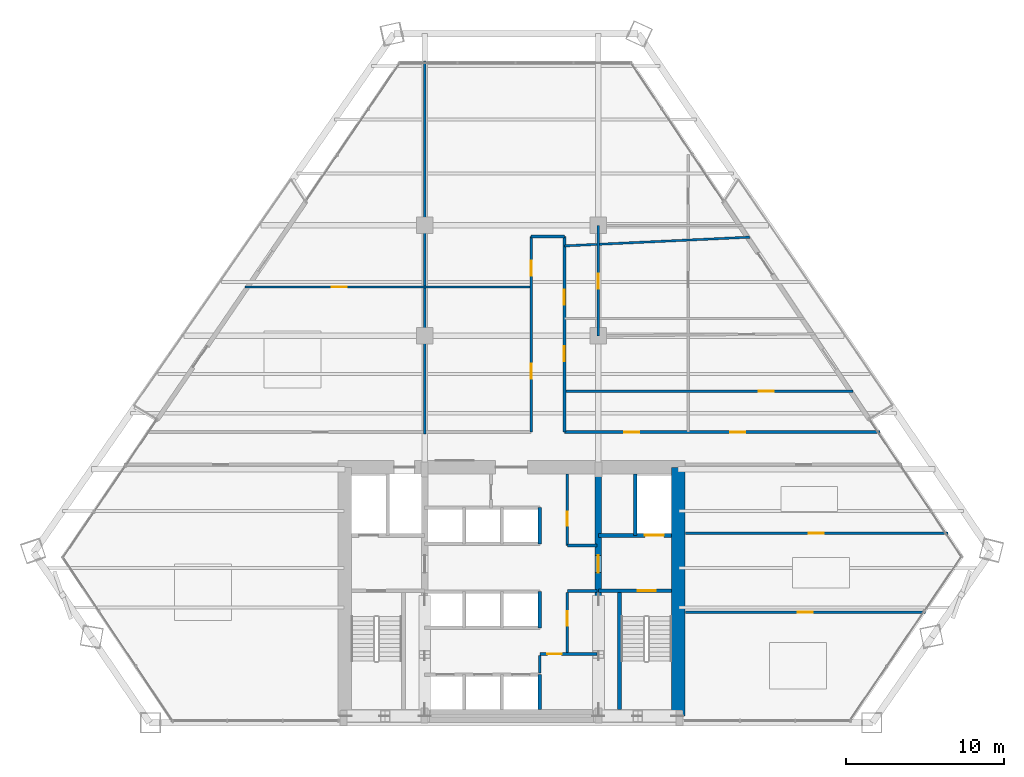
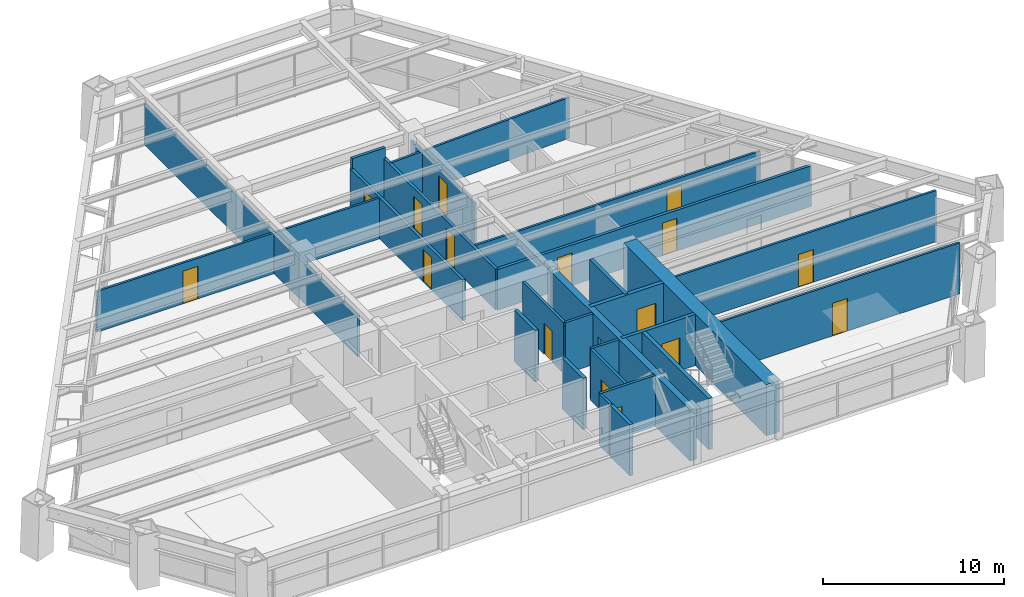
# One storey, part 11 of 14: 26 walls, 17 doors, 17 openings.
"""IFC4 building model written with IfcOpenShell, lengths in metres."""

from ifc_helpers import new_model, si_unit, direction, frame, frame_2d, origin, place, context, subcontext, project, spatial, rectangle, extrude, source, transform, mapped, material, layer, layer_set, type_object, type_shapes, element, fill, save


model = new_model("IFC4")

# Units and contexts
model_context = context("Model", 3, precision=1e-05, world=origin(), true_north=direction((0.0, 1.0)))
body_context = subcontext(model_context, "Body", "Model", "MODEL_VIEW")
ifc_project = project(units=[si_unit("LENGTHUNIT", "METRE"), si_unit("AREAUNIT", "SQUARE_METRE"), si_unit("VOLUMEUNIT", "CUBIC_METRE"), si_unit("PLANEANGLEUNIT", "RADIAN"), si_unit("MASSUNIT", "GRAM", prefix="KILO")], contexts=[model_context])

# Site, building, storey
site_placement = place(None, origin())
site = spatial("IfcSite", under=ifc_project, at=site_placement, CompositionType="ELEMENT")
building_placement = place(site_placement, origin())
building = spatial("IfcBuilding", under=site, at=building_placement, Name="Varnakhor Terracotta Tower", CompositionType="ELEMENT")
storey_placement = place(building_placement, frame((0.0, 0.0, 49.699951171875)))
storey = spatial("IfcBuildingStorey", under=building, at=storey_placement, Name="L11", CompositionType="ELEMENT", Elevation=49.699951171875)

# Wall
ifc_material_1 = material(Name="Concrete C60/75", Category="concrete")
ifc_layer_1 = layer(ifc_material_1, 0.85009765625, Name="Concrete C60/75")
ifc_layer_set_1 = layer_set([ifc_layer_1], Name="Concrete C60/75")
wall_type_1 = type_object("IfcWallType", Name="WAL-CORE-850", PredefinedType="SHEAR", material=ifc_layer_set_1)
wall_1_placement = place(storey_placement, frame((10.574951171875, 0.425048828125, 0.0), z_axis=(0.0, 0.0, 1.0), x_axis=(0.0, 1.0, 0.0)))
element("IfcWall", 1, at=wall_1_placement, inside=storey, type_object=wall_type_1, Name="L11 East Core Shear Wall", PredefinedType="SHEAR", context=body_context, shape_type="SweptSolid", body=[
    extrude(rectangle(XDim=15.75, YDim=0.85009765625, at=frame_2d((7.875, 0.0))), origin(), (0.0, 0.0, 1.0), 3.449951171875),
])

# Wall, opening, door
ifc_material_2 = material(Name="Concrete C50/60", Category="concrete")
ifc_layer_2 = layer(ifc_material_2, 0.39990234375, Name="Concrete C50/60")
ifc_layer_set_2 = layer_set([ifc_layer_2], Name="Concrete C50/60")
wall_type_2 = type_object("IfcWallType", Name="WAL-CORE-WEB-400", PredefinedType="SHEAR", material=ifc_layer_set_2)
wall_2_placement = place(storey_placement, frame((5.5, 0.425048828125, 0.0), z_axis=(0.0, 0.0, 1.0), x_axis=(0.0, 1.0, 0.0)))
wall_2 = element("IfcWall", 2, at=wall_2_placement, inside=storey, type_object=wall_type_2, Name="L11 East Core Web Shear Wall", PredefinedType="SHEAR", context=body_context, shape_type="SweptSolid", body=[
    extrude(rectangle(XDim=15.75, YDim=0.39990234375, at=frame_2d((7.875, 0.0))), origin(), (0.0, 0.0, 1.0), 3.449951171875),
])
opening_1_placement = place(wall_2_placement, frame((9.074951171875, 0.0, 0.0)))
opening_1 = element("IfcOpeningElement", 3, at=opening_1_placement, cuts=wall_2, Name="Opening DR-25", PredefinedType="OPENING", context=body_context, shape_type="SweptSolid", body=[
    extrude(rectangle(XDim=1.10009765625, YDim=2.199951171875, at=frame_2d((0.550048828125, 1.10009765625))), frame((0.0, 0.2099609375, 0.0), z_axis=(0.0, -1.0, 0.0), x_axis=(1.0, 0.0, 0.0)), (0.0, 0.0, 1.0), 0.419921875),
])
ifc_material_3 = material(Name="Firefighting Lobby Self-Closing Fire Door", Category="steel")
door_type_1 = type_object("IfcDoorType", Name="DR-FFL-1100X2200", OperationType="NOTDEFINED", PredefinedType="DOOR", material=ifc_material_3)
shared_shape_1 = source(origin(), body_context, "Body", "SweptSolid", [
    extrude(rectangle(XDim=1.10009765625, YDim=2.199951171875, at=frame_2d((0.550048828125, 1.10009765625))), frame((0.0, 0.02490234375, 0.0), z_axis=(0.0, -1.0, 0.0), x_axis=(1.0, 0.0, 0.0)), (0.0, 0.0, 1.0), 0.050048828125),
])
type_shapes(door_type_1, [shared_shape_1])
door_1_placement = place(opening_1_placement, origin())
door_1 = element("IfcDoor", 4, at=door_1_placement, inside=storey, type_object=door_type_1, Name="L11 East Firefighting Lobby Door", OperationType="SINGLE_SWING_LEFT", OverallHeight=2.199951171875, OverallWidth=1.10009765625, PredefinedType="DOOR", context=body_context, shape_type="MappedRepresentation", body=[
    mapped(shared_shape_1, transform((0.0, 0.0, 0.0), scale=1.0)),
])
fill(opening_1, door_1)

# Wall, openings, doors
ifc_material_4 = material(Name="Fire-Rated Gypsum Stud Partition", Category="gypsum")
ifc_layer_3 = layer(ifc_material_4, 0.18505859375, Name="Fire-Rated Gypsum Stud Partition")
ifc_layer_set_3 = layer_set([ifc_layer_3], Name="Fire-Rated Gypsum Stud Partition")
wall_type_3 = type_object("IfcWallType", Name="WAL-CORR-185", PredefinedType="PARTITIONING", material=ifc_layer_set_3)
wall_3_placement = place(storey_placement, frame((3.35009765625, 18.39990234375, 0.0), z_axis=(0.0, 0.0, 1.0), x_axis=(1.0, 0.0, 0.0)))
wall_3 = element("IfcWall", 5, at=wall_3_placement, inside=storey, type_object=wall_type_3, Name="L11 Corridor North East Wall", PredefinedType="PARTITIONING", context=body_context, shape_type="SweptSolid", body=[
    extrude(rectangle(XDim=20.006103515625, YDim=0.18505859375, at=frame_2d((10.0029296875, 0.0))), origin(), (0.0, 0.0, 1.0), 2.7470703125),
])
opening_2_placement = place(wall_3_placement, frame((10.494384765625, 0.0, 0.0)))
opening_2 = element("IfcOpeningElement", 6, at=opening_2_placement, cuts=wall_3, Name="Opening DR-94", PredefinedType="OPENING", context=body_context, shape_type="SweptSolid", body=[
    extrude(rectangle(XDim=0.949951171875, YDim=2.199951171875, at=frame_2d((0.47509765625, 1.10009765625))), frame((0.0, 0.1025390625, 0.0), z_axis=(0.0, -1.0, 0.0), x_axis=(1.0, 0.0, 0.0)), (0.0, 0.0, 1.0), 0.205078125),
])
opening_3_placement = place(wall_3_placement, frame((3.80322265625, 0.0, 0.0)))
opening_3 = element("IfcOpeningElement", 7, at=opening_3_placement, cuts=wall_3, Name="Opening DR-94", PredefinedType="OPENING", context=body_context, shape_type="SweptSolid", body=[
    extrude(rectangle(XDim=0.949951171875, YDim=2.199951171875, at=frame_2d((0.47509765625, 1.10009765625))), frame((0.0, 0.1025390625, 0.0), z_axis=(0.0, -1.0, 0.0), x_axis=(1.0, 0.0, 0.0)), (0.0, 0.0, 1.0), 0.205078125),
])
ifc_material_5 = material(Name="Acoustic Glazed-Vision Timber Office Door", Category="wood")
door_type_2 = type_object("IfcDoorType", Name="DR-OFF-950X2200", OperationType="NOTDEFINED", PredefinedType="DOOR", material=ifc_material_5)
shared_shape_2 = source(origin(), body_context, "Body", "SweptSolid", [
    extrude(rectangle(XDim=0.949951171875, YDim=2.199951171875, at=frame_2d((0.47509765625, 1.10009765625))), frame((0.0, 0.02490234375, 0.0), z_axis=(0.0, -1.0, 0.0), x_axis=(1.0, 0.0, 0.0)), (0.0, 0.0, 1.0), 0.050048828125),
])
type_shapes(door_type_2, [shared_shape_2])
door_2_placement = place(opening_2_placement, origin())
door_2 = element("IfcDoor", 8, at=door_2_placement, inside=storey, type_object=door_type_2, Name="L11 East Workplace Door", OperationType="SINGLE_SWING_LEFT", OverallHeight=2.199951171875, OverallWidth=0.949951171875, PredefinedType="DOOR", context=body_context, shape_type="MappedRepresentation", body=[
    mapped(shared_shape_2, transform((0.0, 0.0, 0.0), scale=1.0)),
])
fill(opening_2, door_2)
door_3_placement = place(opening_3_placement, origin())
door_3 = element("IfcDoor", 9, at=door_3_placement, inside=storey, type_object=door_type_2, Name="L11 Archive Office B7 Door", OperationType="SINGLE_SWING_LEFT", OverallHeight=2.199951171875, OverallWidth=0.949951171875, PredefinedType="DOOR", context=body_context, shape_type="MappedRepresentation", body=[
    mapped(shared_shape_2, transform((0.0, 0.0, 0.0), scale=1.0)),
])
fill(opening_3, door_3)

wall_4_placement = place(storey_placement, frame((1.25, 18.39990234375, 0.0), z_axis=(0.0, 0.0, 1.0), x_axis=(0.0, 1.0, 0.0)))
wall_4 = element("IfcWall", 10, at=wall_4_placement, inside=storey, type_object=wall_type_3, Name="L11 Spine West Wall", PredefinedType="PARTITIONING", context=body_context, shape_type="SweptSolid", body=[
    extrude(rectangle(XDim=12.400146484375, YDim=0.18505859375, at=frame_2d((6.2001953125, 0.0))), origin(), (0.0, 0.0, 1.0), 2.7470703125),
])
opening_4_placement = place(wall_4_placement, frame((3.381103515625, 0.0, 0.0)))
opening_4 = element("IfcOpeningElement", 11, at=opening_4_placement, cuts=wall_4, Name="Opening DR-94", PredefinedType="OPENING", context=body_context, shape_type="SweptSolid", body=[
    extrude(rectangle(XDim=0.949951171875, YDim=2.199951171875, at=frame_2d((0.47509765625, 1.10009765625))), frame((0.0, 0.1025390625, 0.0), z_axis=(0.0, -1.0, 0.0), x_axis=(1.0, 0.0, 0.0)), (0.0, 0.0, 1.0), 0.205078125),
])
opening_5_placement = place(wall_4_placement, frame((9.923095703125, 0.0, 0.0)))
opening_5 = element("IfcOpeningElement", 12, at=opening_5_placement, cuts=wall_4, Name="Opening DR-94", PredefinedType="OPENING", context=body_context, shape_type="SweptSolid", body=[
    extrude(rectangle(XDim=0.949951171875, YDim=2.199951171875, at=frame_2d((0.47509765625, 1.10009765625))), frame((0.0, 0.1025390625, 0.0), z_axis=(0.0, -1.0, 0.0), x_axis=(1.0, 0.0, 0.0)), (0.0, 0.0, 1.0), 0.205078125),
])
door_4_placement = place(opening_4_placement, origin())
door_4 = element("IfcDoor", 13, at=door_4_placement, inside=storey, type_object=door_type_2, Name="L11 Spine West Door", OperationType="SINGLE_SWING_RIGHT", OverallHeight=2.199951171875, OverallWidth=0.949951171875, PredefinedType="DOOR", context=body_context, shape_type="MappedRepresentation", body=[
    mapped(shared_shape_2, transform((0.0, 0.0, 0.0), scale=1.0)),
])
fill(opening_4, door_4)
door_5_placement = place(opening_5_placement, origin())
door_5 = element("IfcDoor", 14, at=door_5_placement, inside=storey, type_object=door_type_2, Name="L11 Engineering Office E2 Door", OperationType="SINGLE_SWING_RIGHT", OverallHeight=2.199951171875, OverallWidth=0.949951171875, PredefinedType="DOOR", context=body_context, shape_type="MappedRepresentation", body=[
    mapped(shared_shape_2, transform((0.0, 0.0, 0.0), scale=1.0)),
])
fill(opening_5, door_5)

wall_5_placement = place(storey_placement, frame((3.35009765625, 18.39990234375, 0.0), z_axis=(0.0, 0.0, 1.0), x_axis=(0.0, 1.0, 0.0)))
wall_5 = element("IfcWall", 15, at=wall_5_placement, inside=storey, type_object=wall_type_3, Name="L11 Spine East Wall", PredefinedType="PARTITIONING", context=body_context, shape_type="SweptSolid", body=[
    extrude(rectangle(XDim=12.400146484375, YDim=0.18505859375, at=frame_2d((6.2001953125, 0.0))), origin(), (0.0, 0.0, 1.0), 2.7470703125),
])
opening_6_placement = place(wall_5_placement, frame((8.069091796875, 0.0, 0.0)))
opening_6 = element("IfcOpeningElement", 16, at=opening_6_placement, cuts=wall_5, Name="Opening DR-94", PredefinedType="OPENING", context=body_context, shape_type="SweptSolid", body=[
    extrude(rectangle(XDim=0.949951171875, YDim=2.199951171875, at=frame_2d((0.47509765625, 1.10009765625))), frame((0.0, 0.1025390625, 0.0), z_axis=(0.0, -1.0, 0.0), x_axis=(1.0, 0.0, 0.0)), (0.0, 0.0, 1.0), 0.205078125),
])
opening_7_placement = place(wall_5_placement, frame((4.496337890625, 0.0, 0.0)))
opening_7 = element("IfcOpeningElement", 17, at=opening_7_placement, cuts=wall_5, Name="Opening DR-94", PredefinedType="OPENING", context=body_context, shape_type="SweptSolid", body=[
    extrude(rectangle(XDim=0.949951171875, YDim=2.199951171875, at=frame_2d((0.47509765625, 1.10009765625))), frame((0.0, 0.1025390625, 0.0), z_axis=(0.0, -1.0, 0.0), x_axis=(1.0, 0.0, 0.0)), (0.0, 0.0, 1.0), 0.205078125),
])
door_6_placement = place(opening_6_placement, origin())
door_6 = element("IfcDoor", 18, at=door_6_placement, inside=storey, type_object=door_type_2, Name="L11 Spine East Door", OperationType="SINGLE_SWING_LEFT", OverallHeight=2.199951171875, OverallWidth=0.949951171875, PredefinedType="DOOR", context=body_context, shape_type="MappedRepresentation", body=[
    mapped(shared_shape_2, transform((0.0, 0.0, 0.0), scale=1.0)),
])
fill(opening_6, door_6)
door_7_placement = place(opening_7_placement, origin())
door_7 = element("IfcDoor", 19, at=door_7_placement, inside=storey, type_object=door_type_2, Name="L11 Engineering Office E2 B10 Door", OperationType="SINGLE_SWING_LEFT", OverallHeight=2.199951171875, OverallWidth=0.949951171875, PredefinedType="DOOR", context=body_context, shape_type="MappedRepresentation", body=[
    mapped(shared_shape_2, transform((0.0, 0.0, 0.0), scale=1.0)),
])
fill(opening_7, door_7)

# Wall
wall_6_placement = place(storey_placement, frame((1.25, 30.800048828125, 0.0), z_axis=(0.0, 0.0, 1.0), x_axis=(1.0, 0.0, 0.0)))
element("IfcWall", 20, at=wall_6_placement, inside=storey, type_object=wall_type_3, Name="L11 Spine North End Wall", PredefinedType="PARTITIONING", context=body_context, shape_type="SweptSolid", body=[
    extrude(rectangle(XDim=2.10009765625, YDim=0.18505859375, at=frame_2d((1.050048828125, 0.0))), origin(), (0.0, 0.0, 1.0), 3.442138671875),
])

# Wall, opening, door
ifc_material_6 = material(Name="Concrete C40/50", Category="concrete")
ifc_layer_4 = layer(ifc_material_6, 0.219970703125, Name="Concrete C40/50")
ifc_layer_set_4 = layer_set([ifc_layer_4], Name="Concrete C40/50")
wall_type_4 = type_object("IfcWallType", Name="WAL-FFLOBBY-220", PredefinedType="SOLIDWALL", material=ifc_layer_set_4)
wall_7_placement = place(storey_placement, frame((10.14990234375, 8.35009765625, 0.0), z_axis=(0.0, 0.0, 1.0), x_axis=(-1.0, 0.0, 0.0)))
wall_7 = element("IfcWall", 21, at=wall_7_placement, inside=storey, type_object=wall_type_4, Name="L11 East Firefighting Lobby Stair Wall", PredefinedType="SOLIDWALL", context=body_context, shape_type="SweptSolid", body=[
    extrude(rectangle(XDim=4.64990234375, YDim=0.219970703125, at=frame_2d((2.324951171875, 0.0))), origin(), (0.0, 0.0, 1.0), 3.449951171875),
])
opening_8_placement = place(wall_7_placement, frame((1.0, 0.0, 0.0)))
opening_8 = element("IfcOpeningElement", 22, at=opening_8_placement, cuts=wall_7, Name="Opening DR-34", PredefinedType="OPENING", context=body_context, shape_type="SweptSolid", body=[
    extrude(rectangle(XDim=1.14990234375, YDim=2.199951171875, at=frame_2d((0.574951171875, 1.10009765625))), frame((0.0, 0.1201171875, 0.0), z_axis=(0.0, -1.0, 0.0), x_axis=(1.0, 0.0, 0.0)), (0.0, 0.0, 1.0), 0.239990234375),
])
ifc_material_7 = material(Name="Self-Closing Smoke-Sealed Steel Fire Door", Category="steel")
door_type_3 = type_object("IfcDoorType", Name="DR-STAIR-1150X2200", OperationType="NOTDEFINED", PredefinedType="DOOR", material=ifc_material_7)
shared_shape_3 = source(origin(), body_context, "Body", "SweptSolid", [
    extrude(rectangle(XDim=1.14990234375, YDim=2.199951171875, at=frame_2d((0.574951171875, 1.10009765625))), frame((0.0, 0.02490234375, 0.0), z_axis=(0.0, -1.0, 0.0), x_axis=(1.0, 0.0, 0.0)), (0.0, 0.0, 1.0), 0.050048828125),
])
type_shapes(door_type_3, [shared_shape_3])
door_8_placement = place(opening_8_placement, origin())
door_8 = element("IfcDoor", 23, at=door_8_placement, inside=storey, type_object=door_type_3, Name="L11 Exit Stair ST-2 Fire Door", OperationType="SINGLE_SWING_RIGHT", OverallHeight=2.199951171875, OverallWidth=1.14990234375, PredefinedType="DOOR", context=body_context, shape_type="MappedRepresentation", body=[
    mapped(shared_shape_3, transform((0.0, 0.0, 0.0), scale=1.0)),
])
fill(opening_8, door_8)

# Wall
ifc_material_8 = material(Name="Acoustic Metal-Stud Partition", Category="gypsum")
ifc_layer_5 = layer(ifc_material_8, 0.139892578125, Name="Acoustic Metal-Stud Partition")
ifc_layer_set_5 = layer_set([ifc_layer_5], Name="Acoustic Metal-Stud Partition")
wall_type_5 = type_object("IfcWallType", Name="WAL-PART-140", PredefinedType="PARTITIONING", material=ifc_layer_set_5)
wall_8_placement = place(storey_placement, frame((-5.5, 18.300048828125, 0.0), z_axis=(0.0, 0.0, 1.0), x_axis=(0.0, 1.0, 0.0)))
element("IfcWall", 24, at=wall_8_placement, inside=storey, type_object=wall_type_5, Name="L11 West Full Column Wall", PredefinedType="PARTITIONING", context=body_context, shape_type="SweptSolid", body=[
    extrude(rectangle(XDim=23.599853515625, YDim=0.139892578125, at=frame_2d((11.7998046875, 0.0))), origin(), (0.0, 0.0, 1.0), 2.7470703125),
])

# Wall, opening, door
wall_9_placement = place(storey_placement, frame((5.5, 24.5, 0.0), z_axis=(0.0, 0.0, 1.0), x_axis=(0.0, 1.0, 0.0)))
wall_9 = element("IfcWall", 25, at=wall_9_placement, inside=storey, type_object=wall_type_5, Name="L11 East Mid Link Wall", PredefinedType="PARTITIONING", context=body_context, shape_type="SweptSolid", body=[
    extrude(rectangle(XDim=7.0, YDim=0.139892578125, at=frame_2d((3.5, 0.0))), origin(), (0.0, 0.0, 1.0), 2.7470703125),
])
opening_9_placement = place(wall_9_placement, frame((2.978759765625, 0.0, 0.0)))
opening_9 = element("IfcOpeningElement", 26, at=opening_9_placement, cuts=wall_9, Name="Opening DR-94", PredefinedType="OPENING", context=body_context, shape_type="SweptSolid", body=[
    extrude(rectangle(XDim=0.949951171875, YDim=2.199951171875, at=frame_2d((0.47509765625, 1.10009765625))), frame((0.0, 0.080078125, 0.0), z_axis=(0.0, -1.0, 0.0), x_axis=(1.0, 0.0, 0.0)), (0.0, 0.0, 1.0), 0.159912109375),
])
door_9_placement = place(opening_9_placement, origin())
door_9 = element("IfcDoor", 27, at=door_9_placement, inside=storey, type_object=door_type_2, Name="L11 Archive Office B15 Door", OperationType="SINGLE_SWING_RIGHT", OverallHeight=2.199951171875, OverallWidth=0.949951171875, PredefinedType="DOOR", context=body_context, shape_type="MappedRepresentation", body=[
    mapped(shared_shape_2, transform((0.0, 0.0, 0.0), scale=1.0)),
])
fill(opening_9, door_9)

wall_10_placement = place(storey_placement, frame((-16.86865234375, 27.60009765625, 0.0), z_axis=(0.0, 0.0, 1.0), x_axis=(1.0, 0.0, 0.0)))
wall_10 = element("IfcWall", 28, at=wall_10_placement, inside=storey, type_object=wall_type_5, Name="L11 West Wing Cut 1", PredefinedType="PARTITIONING", context=body_context, shape_type="SweptSolid", body=[
    extrude(rectangle(XDim=18.11865234375, YDim=0.139892578125, at=frame_2d((9.059326171875, 0.0))), origin(), (0.0, 0.0, 1.0), 2.7470703125),
])
opening_10_placement = place(wall_10_placement, frame((5.4814453125, 0.0, 0.0)))
opening_10 = element("IfcOpeningElement", 29, at=opening_10_placement, cuts=wall_10, Name="Opening DR-94", PredefinedType="OPENING", context=body_context, shape_type="SweptSolid", body=[
    extrude(rectangle(XDim=0.949951171875, YDim=2.199951171875, at=frame_2d((0.47509765625, 1.10009765625))), frame((0.0, 0.080078125, 0.0), z_axis=(0.0, -1.0, 0.0), x_axis=(1.0, 0.0, 0.0)), (0.0, 0.0, 1.0), 0.159912109375),
])
door_10_placement = place(opening_10_placement, origin())
door_10 = element("IfcDoor", 30, at=door_10_placement, inside=storey, type_object=door_type_2, Name="L11 Espresso Pantry Door", OperationType="SINGLE_SWING_LEFT", OverallHeight=2.199951171875, OverallWidth=0.949951171875, PredefinedType="DOOR", context=body_context, shape_type="MappedRepresentation", body=[
    mapped(shared_shape_2, transform((0.0, 0.0, 0.0), scale=1.0)),
])
fill(opening_10, door_10)

wall_11_placement = place(storey_placement, frame((3.35009765625, 21.0, 0.0), z_axis=(0.0, 0.0, 1.0), x_axis=(1.0, 0.0, 0.0)))
wall_11 = element("IfcWall", 31, at=wall_11_placement, inside=storey, type_object=wall_type_5, Name="L11 East Wing Cut 1", PredefinedType="PARTITIONING", context=body_context, shape_type="SweptSolid", body=[
    extrude(rectangle(XDim=18.266357421875, YDim=0.139892578125, at=frame_2d((9.13330078125, 0.0))), origin(), (0.0, 0.0, 1.0), 2.7470703125),
])
opening_11_placement = place(wall_11_placement, frame((12.298828125, 0.0, 0.0)))
opening_11 = element("IfcOpeningElement", 32, at=opening_11_placement, cuts=wall_11, Name="Opening DR-94", PredefinedType="OPENING", context=body_context, shape_type="SweptSolid", body=[
    extrude(rectangle(XDim=0.949951171875, YDim=2.199951171875, at=frame_2d((0.47509765625, 1.10009765625))), frame((0.0, 0.080078125, 0.0), z_axis=(0.0, -1.0, 0.0), x_axis=(1.0, 0.0, 0.0)), (0.0, 0.0, 1.0), 0.159912109375),
])
door_11_placement = place(opening_11_placement, origin())
door_11 = element("IfcDoor", 33, at=door_11_placement, inside=storey, type_object=door_type_2, Name="L11 Engineering Office E1 B9 Door", OperationType="SINGLE_SWING_RIGHT", OverallHeight=2.199951171875, OverallWidth=0.949951171875, PredefinedType="DOOR", context=body_context, shape_type="MappedRepresentation", body=[
    mapped(shared_shape_2, transform((0.0, 0.0, 0.0), scale=1.0)),
])
fill(opening_11, door_11)

# Wall
wall_12_placement = place(storey_placement, frame((3.35009765625, 30.199951171875, 0.0), z_axis=(0.0, 0.0, 1.0), x_axis=(0.998889698703, 0.047110188123, 0.0)))
element("IfcWall", 34, at=wall_12_placement, inside=storey, type_object=wall_type_5, Name="L11 East Wing Cut 3", PredefinedType="PARTITIONING", context=body_context, shape_type="SweptSolid", body=[
    extrude(rectangle(XDim=11.75341796875, YDim=0.139892578125, at=frame_2d((5.876708984375, 0.0))), origin(), (0.0, 0.0, 1.0), 2.7470703125),
])

# Wall, opening, door
wall_13_placement = place(storey_placement, frame((11.02001953125, 7.0, 0.0), z_axis=(0.0, 0.0, 1.0), x_axis=(1.0, 0.0, 0.0)))
wall_13 = element("IfcWall", 35, at=wall_13_placement, inside=storey, type_object=wall_type_5, Name="L11 South East Cut 1", PredefinedType="PARTITIONING", context=body_context, shape_type="SweptSolid", body=[
    extrude(rectangle(XDim=15.219482421875, YDim=0.139892578125, at=frame_2d((7.60986328125, 0.0))), origin(), (0.0, 0.0, 1.0), 3.442138671875),
])
opening_12_placement = place(wall_13_placement, frame((7.1220703125, 0.0, 0.0)))
opening_12 = element("IfcOpeningElement", 36, at=opening_12_placement, cuts=wall_13, Name="Opening DR-94", PredefinedType="OPENING", context=body_context, shape_type="SweptSolid", body=[
    extrude(rectangle(XDim=0.949951171875, YDim=2.199951171875, at=frame_2d((0.47509765625, 1.10009765625))), frame((0.0, 0.080078125, 0.0), z_axis=(0.0, -1.0, 0.0), x_axis=(1.0, 0.0, 0.0)), (0.0, 0.0, 1.0), 0.159912109375),
])
door_12_placement = place(opening_12_placement, origin())
door_12 = element("IfcDoor", 37, at=door_12_placement, inside=storey, type_object=door_type_2, Name="L11 South East Conference Room Door", OperationType="SINGLE_SWING_LEFT", OverallHeight=2.199951171875, OverallWidth=0.949951171875, PredefinedType="DOOR", context=body_context, shape_type="MappedRepresentation", body=[
    mapped(shared_shape_2, transform((0.0, 0.0, 0.0), scale=1.0)),
])
fill(opening_12, door_12)

wall_14_placement = place(storey_placement, frame((11.02001953125, 12.0, 0.0), z_axis=(0.0, 0.0, 1.0), x_axis=(1.0, 0.0, 0.0)))
wall_14 = element("IfcWall", 38, at=wall_14_placement, inside=storey, type_object=wall_type_5, Name="L11 South East Cut 2", PredefinedType="PARTITIONING", context=body_context, shape_type="SweptSolid", body=[
    extrude(rectangle(XDim=16.6181640625, YDim=0.139892578125, at=frame_2d((8.30908203125, 0.0))), origin(), (0.0, 0.0, 1.0), 3.442138671875),
])
opening_13_placement = place(wall_14_placement, frame((7.822509765625, 0.0, 0.0)))
opening_13 = element("IfcOpeningElement", 39, at=opening_13_placement, cuts=wall_14, Name="Opening DR-94", PredefinedType="OPENING", context=body_context, shape_type="SweptSolid", body=[
    extrude(rectangle(XDim=0.949951171875, YDim=2.199951171875, at=frame_2d((0.47509765625, 1.10009765625))), frame((0.0, 0.080078125, 0.0), z_axis=(0.0, -1.0, 0.0), x_axis=(1.0, 0.0, 0.0)), (0.0, 0.0, 1.0), 0.159912109375),
])
door_13_placement = place(opening_13_placement, origin())
door_13 = element("IfcDoor", 40, at=door_13_placement, inside=storey, type_object=door_type_2, Name="L11 Panorama Conference Room B3 Door", OperationType="SINGLE_SWING_RIGHT", OverallHeight=2.199951171875, OverallWidth=0.949951171875, PredefinedType="DOOR", context=body_context, shape_type="MappedRepresentation", body=[
    mapped(shared_shape_2, transform((0.0, 0.0, 0.0), scale=1.0)),
])
fill(opening_13, door_13)

# Walls
ifc_layer_6 = layer(ifc_material_6, 0.219970703125, Name="Concrete C40/50")
ifc_layer_set_6 = layer_set([ifc_layer_6], Name="Concrete C40/50")
wall_type_6 = type_object("IfcWallType", Name="WAL-SHAFT-220", PredefinedType="SOLIDWALL", material=ifc_layer_set_6)
wall_15_placement = place(storey_placement, frame((7.840087890625, 11.8701171875, 0.0), z_axis=(0.0, 0.0, 1.0), x_axis=(0.0, 1.0, 0.0)))
element("IfcWall", 41, at=wall_15_placement, inside=storey, type_object=wall_type_6, Name="L11 Lift FFL-2 and Riser Divider Wall", PredefinedType="SOLIDWALL", context=body_context, shape_type="SweptSolid", body=[
    extrude(rectangle(XDim=3.8798828125, YDim=0.219970703125, at=frame_2d((1.93994140625, 0.0))), origin(), (0.0, 0.0, 1.0), 3.449951171875),
])
wall_16_placement = place(storey_placement, frame((1.800048828125, 0.85009765625, 0.0), z_axis=(0.0, 0.0, 1.0), x_axis=(0.0, 1.0, 0.0)))
element("IfcWall", 42, at=wall_16_placement, inside=storey, type_object=wall_type_6, Name="L11 Bank 1 East Shaft Wall", PredefinedType="SOLIDWALL", context=body_context, shape_type="SweptSolid", body=[
    extrude(rectangle(XDim=2.199951171875, YDim=0.219970703125, at=frame_2d((1.10009765625, 0.0))), origin(), (0.0, 0.0, 1.0), 3.449951171875),
])
for number, where, z_axis, x_axis, name in (
    (43, (1.800048828125, 6.0, 0.0), (0.0, 0.0, 1.0), (0.0, 1.0, 0.0), "L11 Bank 2 East Shaft Wall"),
    (44, (1.800048828125, 11.320068359375, 0.0), (0.0, 0.0, 1.0), (0.0, 1.0, 0.0), "L11 Bank 3 East Shaft Wall"),
):
    element("IfcWall", number, at=place(storey_placement, frame(where, z_axis=z_axis, x_axis=x_axis)), inside=storey, type_object=wall_type_6, Name=name, PredefinedType="SOLIDWALL", context=body_context, shape_type="SweptSolid", body=[
        extrude(rectangle(XDim=2.300048828125, YDim=0.219970703125, at=frame_2d((1.14990234375, 0.0))), origin(), (0.0, 0.0, 1.0), 3.449951171875),
    ])
ifc_layer_7 = layer(ifc_material_6, 0.25, Name="Concrete C40/50")
ifc_layer_set_7 = layer_set([ifc_layer_7], Name="Concrete C40/50")
wall_type_7 = type_object("IfcWallType", Name="WAL-SHAFT-250", PredefinedType="SOLIDWALL", material=ifc_layer_set_7)
wall_17_placement = place(storey_placement, frame((6.85009765625, 0.85009765625, 0.0), z_axis=(0.0, 0.0, 1.0), x_axis=(0.0, 1.0, 0.0)))
element("IfcWall", 45, at=wall_17_placement, inside=storey, type_object=wall_type_7, Name="L11 Stair ST-2 Bearing Shaft Wall", PredefinedType="SOLIDWALL", context=body_context, shape_type="SweptSolid", body=[
    extrude(rectangle(XDim=7.5, YDim=0.25, at=frame_2d((3.75, 0.0))), origin(), (0.0, 0.0, 1.0), 3.449951171875),
])

# Wall, opening, door
wall_18_placement = place(storey_placement, frame((10.14990234375, 11.8701171875, 0.0), z_axis=(0.0, 0.0, 1.0), x_axis=(-1.0, 0.0, 0.0)))
wall_18 = element("IfcWall", 46, at=wall_18_placement, inside=storey, type_object=wall_type_7, Name="L11 Lift FFL-2 Shaft Front Wall", PredefinedType="SOLIDWALL", context=body_context, shape_type="SweptSolid", body=[
    extrude(rectangle(XDim=4.64990234375, YDim=0.25, at=frame_2d((2.324951171875, 0.0))), origin(), (0.0, 0.0, 1.0), 3.449951171875),
])
opening_14_placement = place(wall_18_placement, frame((0.5, 0.0, 0.0)))
opening_14 = element("IfcOpeningElement", 47, at=opening_14_placement, cuts=wall_18, Name="Opening LD-02", PredefinedType="OPENING", context=body_context, shape_type="SweptSolid", body=[
    extrude(rectangle(XDim=1.199951171875, YDim=2.25, at=frame_2d((0.60009765625, 1.125))), frame((0.0, 0.135009765625, 0.0), z_axis=(0.0, -1.0, 0.0), x_axis=(1.0, 0.0, 0.0)), (0.0, 0.0, 1.0), 0.27001953125),
])
ifc_material_9 = material(Name="Firefighting Stretcher Sliding Lift Landing Door", Category="steel")
door_type_4 = type_object("IfcDoorType", Name="LD-FFL-1200X2250", OperationType="NOTDEFINED", PredefinedType="DOOR", material=ifc_material_9)
shared_shape_4 = source(origin(), body_context, "Body", "SweptSolid", [
    extrude(rectangle(XDim=1.199951171875, YDim=2.25, at=frame_2d((0.60009765625, 1.125))), frame((0.0, 0.02490234375, 0.0), z_axis=(0.0, -1.0, 0.0), x_axis=(1.0, 0.0, 0.0)), (0.0, 0.0, 1.0), 0.050048828125),
])
type_shapes(door_type_4, [shared_shape_4])
door_14_placement = place(opening_14_placement, origin())
door_14 = element("IfcDoor", 48, at=door_14_placement, inside=storey, type_object=door_type_4, Name="L11 Firefighting Lift FFL-2 Landing Door", OperationType="SLIDING_TO_RIGHT", OverallHeight=2.25, OverallWidth=1.199951171875, PredefinedType="DOOR", context=body_context, shape_type="MappedRepresentation", body=[
    mapped(shared_shape_4, transform((0.0, 0.0, 0.0), scale=1.0)),
])
fill(opening_14, door_14)

# Wall
ifc_material_10 = material(Name="Acoustic Fire-Rated Partition", Category="gypsum")
ifc_layer_8 = layer(ifc_material_10, 0.1650390625, Name="Acoustic Fire-Rated Partition")
ifc_layer_set_8 = layer_set([ifc_layer_8], Name="Acoustic Fire-Rated Partition")
wall_type_8 = type_object("IfcWallType", Name="WAL-TENANCY-165", PredefinedType="PARTITIONING", material=ifc_layer_set_8)
wall_19_placement = place(storey_placement, frame((1.800048828125, 3.159912109375, 0.0), z_axis=(0.0, 0.0, 1.0), x_axis=(0.0, 1.0, 0.0)))
element("IfcWall", 49, at=wall_19_placement, inside=storey, type_object=wall_type_8, Name="L11 Core South West Return Wall", PredefinedType="PARTITIONING", context=body_context, shape_type="SweptSolid", body=[
    extrude(rectangle(XDim=1.107666015625, YDim=0.1650390625, at=frame_2d((0.5537109375, 0.0))), origin(), (0.0, 0.0, 1.0), 3.442138671875),
])

# Wall, opening, door
wall_20_placement = place(storey_placement, frame((3.5400390625, 4.4326171875, 0.0), z_axis=(0.0, 0.0, 1.0), x_axis=(0.0, 1.0, 0.0)))
wall_20 = element("IfcWall", 50, at=wall_20_placement, inside=storey, type_object=wall_type_8, Name="L11 Core Service Rated Wall", PredefinedType="PARTITIONING", context=body_context, shape_type="SweptSolid", body=[
    extrude(rectangle(XDim=3.824951171875, YDim=0.1650390625, at=frame_2d((1.91259765625, 0.0))), origin(), (0.0, 0.0, 1.0), 3.442138671875),
])
opening_15_placement = place(wall_20_placement, frame((1.72119140625, 0.0, 0.0)))
opening_15 = element("IfcOpeningElement", 51, at=opening_15_placement, cuts=wall_20, Name="Opening DR-67", PredefinedType="OPENING", context=body_context, shape_type="SweptSolid", body=[
    extrude(rectangle(XDim=0.89990234375, YDim=2.10009765625, at=frame_2d((0.449951171875, 1.050048828125))), frame((0.0, 0.092529296875, 0.0), z_axis=(0.0, -1.0, 0.0), x_axis=(1.0, 0.0, 0.0)), (0.0, 0.0, 1.0), 0.18505859375),
])
ifc_material_11 = material(Name="Steel Service Riser Fire Door", Category="steel")
door_type_5 = type_object("IfcDoorType", Name="DR-RISER-900X2100", OperationType="NOTDEFINED", PredefinedType="DOOR", material=ifc_material_11)
shared_shape_5 = source(origin(), body_context, "Body", "SweptSolid", [
    extrude(rectangle(XDim=0.89990234375, YDim=2.10009765625, at=frame_2d((0.449951171875, 1.050048828125))), frame((0.0, 0.02490234375, 0.0), z_axis=(0.0, -1.0, 0.0), x_axis=(1.0, 0.0, 0.0)), (0.0, 0.0, 1.0), 0.050048828125),
])
type_shapes(door_type_5, [shared_shape_5])
door_15_placement = place(opening_15_placement, origin())
door_15 = element("IfcDoor", 52, at=door_15_placement, inside=storey, type_object=door_type_5, Name="L11 Core Accessible WC Door", OperationType="SINGLE_SWING_LEFT", OverallHeight=2.10009765625, OverallWidth=0.89990234375, PredefinedType="DOOR", context=body_context, shape_type="MappedRepresentation", body=[
    mapped(shared_shape_5, transform((0.0, 0.0, 0.0), scale=1.0)),
])
fill(opening_15, door_15)

# Wall
wall_21_placement = place(storey_placement, frame((3.5400390625, 8.340087890625, 0.0), z_axis=(0.0, 0.0, 1.0), x_axis=(1.0, 0.0, 0.0)))
element("IfcWall", 53, at=wall_21_placement, inside=storey, type_object=wall_type_8, Name="L11 Accessible WC North Wall", PredefinedType="PARTITIONING", context=body_context, shape_type="SweptSolid", body=[
    extrude(rectangle(XDim=1.8798828125, YDim=0.1650390625, at=frame_2d((0.93994140625, 0.0))), origin(), (0.0, 0.0, 1.0), 3.442138671875),
])

# Wall, opening, door
wall_22_placement = place(storey_placement, frame((1.800048828125, 4.35009765625, 0.0), z_axis=(0.0, 0.0, 1.0), x_axis=(1.0, 0.0, 0.0)))
wall_22 = element("IfcWall", 54, at=wall_22_placement, inside=storey, type_object=wall_type_8, Name="L11 Core South Service Rated Wall", PredefinedType="PARTITIONING", context=body_context, shape_type="SweptSolid", body=[
    extrude(rectangle(XDim=3.619873046875, YDim=0.1650390625, at=frame_2d((1.81005859375, 0.0))), origin(), (0.0, 0.0, 1.0), 3.442138671875),
])
opening_16_placement = place(wall_22_placement, frame((0.47998046875, 0.0, 0.0)))
opening_16 = element("IfcOpeningElement", 55, at=opening_16_placement, cuts=wall_22, Name="Opening DR-67", PredefinedType="OPENING", context=body_context, shape_type="SweptSolid", body=[
    extrude(rectangle(XDim=0.89990234375, YDim=2.10009765625, at=frame_2d((0.449951171875, 1.050048828125))), frame((0.0, 0.092529296875, 0.0), z_axis=(0.0, -1.0, 0.0), x_axis=(1.0, 0.0, 0.0)), (0.0, 0.0, 1.0), 0.18505859375),
])
door_16_placement = place(opening_16_placement, origin())
door_16 = element("IfcDoor", 56, at=door_16_placement, inside=storey, type_object=door_type_5, Name="L11 Core IT Room Door", OperationType="SINGLE_SWING_RIGHT", OverallHeight=2.10009765625, OverallWidth=0.89990234375, PredefinedType="DOOR", context=body_context, shape_type="MappedRepresentation", body=[
    mapped(shared_shape_5, transform((0.0, 0.0, 0.0), scale=1.0)),
])
fill(opening_16, door_16)

wall_23_placement = place(storey_placement, frame((3.5400390625, 11.219970703125, 0.0), z_axis=(0.0, 0.0, 1.0), x_axis=(0.0, 1.0, 0.0)))
wall_23 = element("IfcWall", 57, at=wall_23_placement, inside=storey, type_object=wall_type_8, Name="L11 Restroom Corridor Wall", PredefinedType="PARTITIONING", context=body_context, shape_type="SweptSolid", body=[
    extrude(rectangle(XDim=4.530029296875, YDim=0.1650390625, at=frame_2d((2.26513671875, 0.0))), origin(), (0.0, 0.0, 1.0), 3.442138671875),
])
opening_17_placement = place(wall_23_placement, frame((1.25, 0.0, 0.0)))
opening_17 = element("IfcOpeningElement", 58, at=opening_17_placement, cuts=wall_23, Name="Opening DR-67", PredefinedType="OPENING", context=body_context, shape_type="SweptSolid", body=[
    extrude(rectangle(XDim=0.89990234375, YDim=2.10009765625, at=frame_2d((0.449951171875, 1.050048828125))), frame((0.0, 0.092529296875, 0.0), z_axis=(0.0, -1.0, 0.0), x_axis=(1.0, 0.0, 0.0)), (0.0, 0.0, 1.0), 0.18505859375),
])
door_17_placement = place(opening_17_placement, origin())
door_17 = element("IfcDoor", 59, at=door_17_placement, inside=storey, type_object=door_type_5, Name="L11 Female WC Door", OperationType="SINGLE_SWING_LEFT", OverallHeight=2.10009765625, OverallWidth=0.89990234375, PredefinedType="DOOR", context=body_context, shape_type="MappedRepresentation", body=[
    mapped(shared_shape_5, transform((0.0, 0.0, 0.0), scale=1.0)),
])
fill(opening_17, door_17)

# Wall
wall_24_placement = place(storey_placement, frame((3.5400390625, 11.219970703125, 0.0), z_axis=(0.0, 0.0, 1.0), x_axis=(1.0, 0.0, 0.0)))
element("IfcWall", 60, at=wall_24_placement, inside=storey, type_object=wall_type_8, Name="L11 Restroom South Wall", PredefinedType="PARTITIONING", context=body_context, shape_type="SweptSolid", body=[
    extrude(rectangle(XDim=1.8798828125, YDim=0.1650390625, at=frame_2d((0.93994140625, 0.0))), origin(), (0.0, 0.0, 1.0), 3.442138671875),
])

save(model, "model.ifc")
